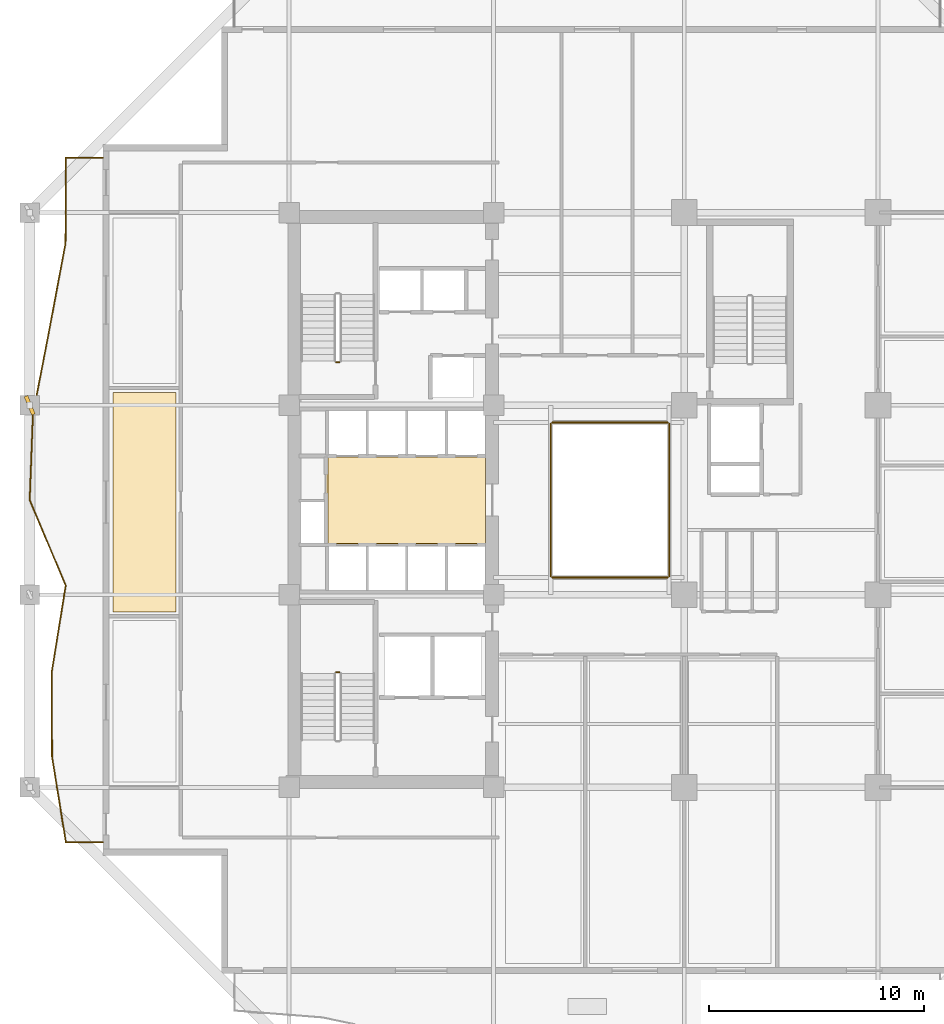
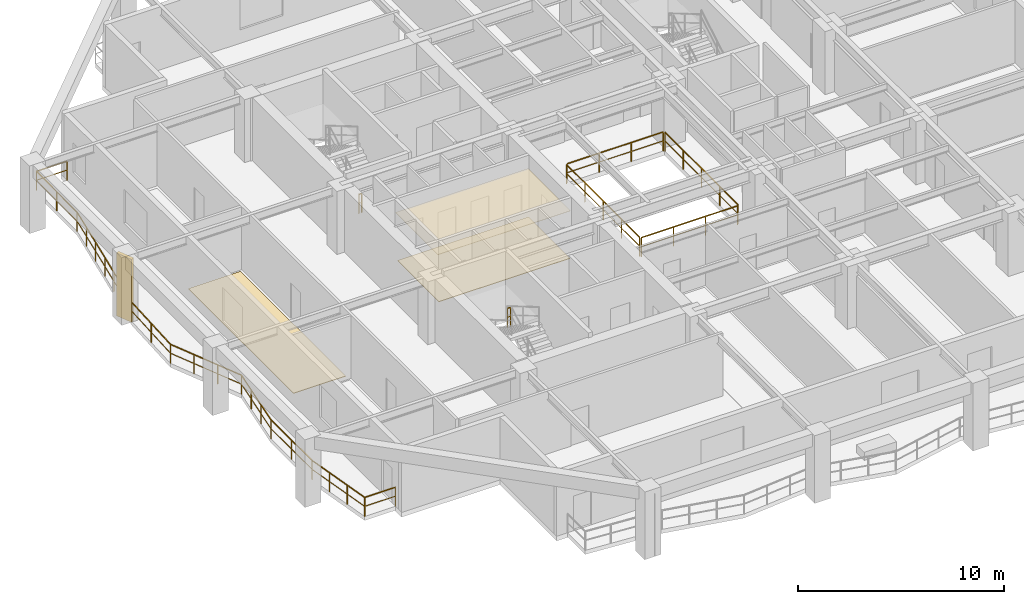
# One storey, part 9 of 13: 7 railings, 3 coverings, 1 shading device.
"""IFC4 building model written with IfcOpenShell, lengths in metres."""

from ifc_helpers import new_model, si_unit, direction, frame, origin, origin_2d, place, context, subcontext, project, spatial, polyline, rectangle, outline, extrude, material, layer, layer_set, type_object, element, save


model = new_model("IFC4")

# Units and contexts
model_context = context("Model", 3, precision=1e-05, world=origin(), true_north=direction((0.0, 1.0)))
body_context = subcontext(model_context, "Body", "Model", "MODEL_VIEW")
ifc_project = project(units=[si_unit("LENGTHUNIT", "METRE"), si_unit("AREAUNIT", "SQUARE_METRE"), si_unit("VOLUMEUNIT", "CUBIC_METRE"), si_unit("PLANEANGLEUNIT", "RADIAN"), si_unit("MASSUNIT", "GRAM", prefix="KILO")], contexts=[model_context])

# Site, building, storey
site_placement = place(None, origin())
site = spatial("IfcSite", under=ifc_project, at=site_placement, CompositionType="ELEMENT")
building_placement = place(site_placement, origin())
building = spatial("IfcBuilding", under=site, at=building_placement, Name="Kundavana Baori Tower", CompositionType="ELEMENT")
storey_placement = place(building_placement, frame((0.0, 0.0, 54.0)))
storey = spatial("IfcBuildingStorey", under=building, at=storey_placement, Name="L12", CompositionType="ELEMENT", Elevation=54.0)

# Coverings
ifc_material_1 = material(Name="Perforated Acoustic Mineral Fibre Ceiling Board")
ifc_layer_1 = layer(ifc_material_1, 0.02490234375, Name="COV-INT-CEIL")
ifc_layer_set_1 = layer_set([ifc_layer_1], Name="Perforated Acoustic Mineral Fibre Ceiling Board")
covering_type_1 = type_object("IfcCoveringType", Name="COV-INT-CEIL", PredefinedType="CEILING", material=ifc_layer_set_1)
covering_1_placement = place(storey_placement, frame((0.0, 0.0, 2.85009765625)))
element("IfcCovering", 1, at=covering_1_placement, inside=storey, type_object=covering_type_1, Name="L12 Core Lift Lobby Acoustic Ceiling", PredefinedType="CEILING", context=body_context, shape_type="SweptSolid", body=[
    extrude(outline(polyline([(17.159912109375, 26.52001953125), (24.580078125, 26.52001953125), (24.580078125, 30.639892578125), (17.159912109375, 30.639892578125), (17.159912109375, 26.52001953125)])), origin(), (0.0, 0.0, 1.0), 0.02490234375),
])
ifc_material_2 = material(Name="Honed Kota Stone and Terrazzo Flooring", Category="masonry")
ifc_layer_2 = layer(ifc_material_2, 0.030029296875, Name="COV-INT-FLR")
ifc_layer_set_2 = layer_set([ifc_layer_2], Name="Honed Kota Stone and Terrazzo Flooring")
covering_type_2 = type_object("IfcCoveringType", Name="COV-INT-FLR", PredefinedType="FLOORING", material=ifc_layer_set_2)
covering_2_placement = place(storey_placement, origin())
element("IfcCovering", 2, at=covering_2_placement, inside=storey, type_object=covering_type_2, Name="L12 Room Finished Stone Flooring 2", PredefinedType="FLOORING", context=body_context, shape_type="SweptSolid", body=[
    extrude(outline(polyline([(7.280029296875, 23.39990234375), (10.199951171875, 23.39990234375), (10.199951171875, 33.60009765625), (7.280029296875, 33.60009765625), (7.280029296875, 23.39990234375)])), origin(), (0.0, 0.0, 1.0), 0.030029296875),
])
covering_3_placement = place(storey_placement, origin())
element("IfcCovering", 3, at=covering_3_placement, inside=storey, type_object=covering_type_2, Name="L12 Core Lift Lobby Kota Stone Flooring", PredefinedType="FLOORING", context=body_context, shape_type="SweptSolid", body=[
    extrude(outline(polyline([(17.25, 26.580078125), (24.580078125, 26.580078125), (24.580078125, 30.60009765625), (17.25, 30.60009765625), (17.25, 26.580078125)])), origin(), (0.0, 0.0, 1.0), 0.030029296875),
])

# Railings
ifc_material_3 = material(Name="Architectural Patinated Bronze Metalwork")
railing_type_1 = type_object("IfcRailingType", Name="RL-BAL-1150", PredefinedType="BALUSTRADE", material=ifc_material_3)
railing_1_placement = place(storey_placement, frame((6.800048828125, 12.699951171875, 0.0)))
element("IfcRailing", 4, at=railing_1_placement, inside=storey, type_object=railing_type_1, Name="L12 Loggia Balcony Balustrade W", PredefinedType="BALUSTRADE", context=body_context, shape_type="SweptSolid", body=[
    extrude(rectangle(XDim=0.048095703125, YDim=0.048095703125, at=origin_2d()), frame((0.0, 0.0, 1.1259765625), z_axis=(-1.0, 0.0, 0.0), x_axis=(0.0, -1.0, 0.0)), (0.0, 0.0, 1.0), 1.719970703125),
    extrude(rectangle(XDim=0.03125, YDim=0.03125, at=origin_2d()), frame((0.0, 0.0, 0.597900390625), z_axis=(-1.0, 0.0, 0.0), x_axis=(0.0, -1.0, 0.0)), (0.0, 0.0, 1.0), 1.719970703125),
    extrude(rectangle(XDim=0.048095703125, YDim=0.048095703125, at=origin_2d()), frame((-1.719970703125, 0.0, 1.1259765625), z_axis=(-0.159697532614, 0.987165993173, 0.0), x_axis=(-0.987165993173, -0.159697532614, 0.0)), (0.0, 0.0, 1.0), 4.02685546875),
    extrude(rectangle(XDim=0.03125, YDim=0.03125, at=origin_2d()), frame((-1.719970703125, 0.0, 0.597900390625), z_axis=(-0.159697532614, 0.987165993173, 0.0), x_axis=(-0.987165993173, -0.159697532614, 0.0)), (0.0, 0.0, 1.0), 4.02685546875),
    extrude(rectangle(XDim=0.048095703125, YDim=0.048095703125, at=origin_2d()), frame((-2.363037109375, 3.97509765625, 1.1259765625), z_axis=(-0.002026898361, 0.999997945839, 0.0), x_axis=(-0.999997945839, -0.002026898361, 0.0)), (0.0, 0.0, 1.0), 3.974853515625),
    extrude(rectangle(XDim=0.03125, YDim=0.03125, at=origin_2d()), frame((-2.363037109375, 3.97509765625, 0.597900390625), z_axis=(-0.002026898361, 0.999997945839, 0.0), x_axis=(-0.999997945839, -0.002026898361, 0.0)), (0.0, 0.0, 1.0), 3.974853515625),
    extrude(rectangle(XDim=0.048095703125, YDim=0.048095703125, at=origin_2d()), frame((-2.37109375, 7.949951171875, 1.1259765625), z_axis=(0.159697532614, 0.987165993173, 0.0), x_axis=(-0.987165993173, 0.159697532614, 0.0)), (0.0, 0.0, 1.0), 4.02685546875),
    extrude(rectangle(XDim=0.03125, YDim=0.03125, at=origin_2d()), frame((-2.37109375, 7.949951171875, 0.597900390625), z_axis=(0.159697532614, 0.987165993173, 0.0), x_axis=(-0.987165993173, 0.159697532614, 0.0)), (0.0, 0.0, 1.0), 4.02685546875),
    extrude(rectangle(XDim=0.048095703125, YDim=0.048095703125, at=origin_2d()), frame((-1.72802734375, 11.925048828125, 1.1259765625), z_axis=(-0.38774061192, 0.921768527271, 0.0), x_axis=(-0.921768527271, -0.38774061192, 0.0)), (0.0, 0.0, 1.0), 4.3125),
    extrude(rectangle(XDim=0.03125, YDim=0.03125, at=origin_2d()), frame((-1.72802734375, 11.925048828125, 0.597900390625), z_axis=(-0.38774061192, 0.921768527271, 0.0), x_axis=(-0.921768527271, -0.38774061192, 0.0)), (0.0, 0.0, 1.0), 4.3125),
    extrude(rectangle(XDim=0.048095703125, YDim=0.048095703125, at=origin_2d()), frame((-3.400146484375, 15.900146484375, 1.1259765625), z_axis=(0.037747171719, 0.999287321558, 0.0), x_axis=(-0.999287321558, 0.037747171719, 0.0)), (0.0, 0.0, 1.0), 3.977783203125),
    extrude(rectangle(XDim=0.03125, YDim=0.03125, at=origin_2d()), frame((-3.400146484375, 15.900146484375, 0.597900390625), z_axis=(0.037747171719, 0.999287321558, 0.0), x_axis=(-0.999287321558, 0.037747171719, 0.0)), (0.0, 0.0, 1.0), 3.977783203125),
    extrude(rectangle(XDim=0.048095703125, YDim=0.048095703125, at=origin_2d()), frame((-3.25, 19.875, 1.1259765625), z_axis=(0.189710648269, 0.981840042947, 0.0), x_axis=(-0.981840042947, 0.189710648269, 0.0)), (0.0, 0.0, 1.0), 4.048583984375),
    extrude(rectangle(XDim=0.03125, YDim=0.03125, at=origin_2d()), frame((-3.25, 19.875, 0.597900390625), z_axis=(0.189710648269, 0.981840042947, 0.0), x_axis=(-0.981840042947, 0.189710648269, 0.0)), (0.0, 0.0, 1.0), 4.048583984375),
    extrude(rectangle(XDim=0.048095703125, YDim=0.048095703125, at=origin_2d()), frame((-2.48193359375, 23.85009765625, 1.1259765625), z_axis=(0.183956814278, 0.982934326637, 0.0), x_axis=(-0.982934326637, 0.183956814278, 0.0)), (0.0, 0.0, 1.0), 4.0439453125),
    extrude(rectangle(XDim=0.03125, YDim=0.03125, at=origin_2d()), frame((-2.48193359375, 23.85009765625, 0.597900390625), z_axis=(0.183956814278, 0.982934326637, 0.0), x_axis=(-0.982934326637, 0.183956814278, 0.0)), (0.0, 0.0, 1.0), 4.0439453125),
    extrude(rectangle(XDim=0.048095703125, YDim=0.048095703125, at=origin_2d()), frame((-1.738037109375, 27.824951171875, 1.1259765625), z_axis=(0.004544849265, 0.999989672119, 0.0), x_axis=(-0.999989672119, 0.004544849265, 0.0)), (0.0, 0.0, 1.0), 3.97509765625),
    extrude(rectangle(XDim=0.03125, YDim=0.03125, at=origin_2d()), frame((-1.738037109375, 27.824951171875, 0.597900390625), z_axis=(0.004544849265, 0.999989672119, 0.0), x_axis=(-0.999989672119, 0.004544849265, 0.0)), (0.0, 0.0, 1.0), 3.97509765625),
    extrude(rectangle(XDim=0.048095703125, YDim=0.048095703125, at=origin_2d()), frame((-1.719970703125, 31.800048828125, 1.1259765625), z_axis=(1.0, 0.0, 0.0), x_axis=(0.0, 1.0, 0.0)), (0.0, 0.0, 1.0), 1.719970703125),
    extrude(rectangle(XDim=0.03125, YDim=0.03125, at=origin_2d()), frame((-1.719970703125, 31.800048828125, 0.597900390625), z_axis=(1.0, 0.0, 0.0), x_axis=(0.0, 1.0, 0.0)), (0.0, 0.0, 1.0), 1.719970703125),
    extrude(rectangle(XDim=0.0419921875, YDim=0.0419921875, at=origin_2d()), origin(), (0.0, 0.0, 1.0), 1.101806640625),
    extrude(rectangle(XDim=0.0419921875, YDim=0.0419921875, at=origin_2d()), frame((-1.719970703125, 0.0, 0.0)), (0.0, 0.0, 1.0), 1.101806640625),
    extrude(rectangle(XDim=0.0419921875, YDim=0.0419921875, at=origin_2d()), frame((-1.934326171875, 1.324951171875, 0.0)), (0.0, 0.0, 1.0), 1.101806640625),
    extrude(rectangle(XDim=0.0419921875, YDim=0.0419921875, at=origin_2d()), frame((-2.148681640625, 2.650146484375, 0.0)), (0.0, 0.0, 1.0), 1.101806640625),
    extrude(rectangle(XDim=0.0419921875, YDim=0.0419921875, at=origin_2d()), frame((-2.363037109375, 3.97509765625, 0.0)), (0.0, 0.0, 1.0), 1.101806640625),
    extrude(rectangle(XDim=0.0419921875, YDim=0.0419921875, at=origin_2d()), frame((-2.3671875, 5.96240234375, 0.0)), (0.0, 0.0, 1.0), 1.101806640625),
    extrude(rectangle(XDim=0.0419921875, YDim=0.0419921875, at=origin_2d()), frame((-2.37109375, 7.949951171875, 0.0)), (0.0, 0.0, 1.0), 1.101806640625),
    extrude(rectangle(XDim=0.0419921875, YDim=0.0419921875, at=origin_2d()), frame((-2.15673828125, 9.27490234375, 0.0)), (0.0, 0.0, 1.0), 1.101806640625),
    extrude(rectangle(XDim=0.0419921875, YDim=0.0419921875, at=origin_2d()), frame((-1.9423828125, 10.60009765625, 0.0)), (0.0, 0.0, 1.0), 1.101806640625),
    extrude(rectangle(XDim=0.0419921875, YDim=0.0419921875, at=origin_2d()), frame((-1.72802734375, 11.925048828125, 0.0)), (0.0, 0.0, 1.0), 1.101806640625),
    extrude(rectangle(XDim=0.0419921875, YDim=0.0419921875, at=origin_2d()), frame((-2.285400390625, 13.25, 0.0)), (0.0, 0.0, 1.0), 1.101806640625),
    extrude(rectangle(XDim=0.0419921875, YDim=0.0419921875, at=origin_2d()), frame((-2.8427734375, 14.5751953125, 0.0)), (0.0, 0.0, 1.0), 1.101806640625),
    extrude(rectangle(XDim=0.0419921875, YDim=0.0419921875, at=origin_2d()), frame((-3.400146484375, 15.900146484375, 0.0)), (0.0, 0.0, 1.0), 1.101806640625),
    extrude(rectangle(XDim=0.0419921875, YDim=0.0419921875, at=origin_2d()), frame((-3.3251953125, 17.8876953125, 0.0)), (0.0, 0.0, 1.0), 1.101806640625),
    extrude(rectangle(XDim=0.0419921875, YDim=0.0419921875, at=origin_2d()), frame((-3.25, 19.875, 0.0)), (0.0, 0.0, 1.0), 1.101806640625),
    extrude(rectangle(XDim=0.0419921875, YDim=0.0419921875, at=origin_2d()), frame((-2.993896484375, 21.199951171875, 0.0)), (0.0, 0.0, 1.0), 1.101806640625),
    extrude(rectangle(XDim=0.0419921875, YDim=0.0419921875, at=origin_2d()), frame((-2.738037109375, 22.525146484375, 0.0)), (0.0, 0.0, 1.0), 1.101806640625),
    extrude(rectangle(XDim=0.0419921875, YDim=0.0419921875, at=origin_2d()), frame((-2.48193359375, 23.85009765625, 0.0)), (0.0, 0.0, 1.0), 1.101806640625),
    extrude(rectangle(XDim=0.0419921875, YDim=0.0419921875, at=origin_2d()), frame((-2.23388671875, 25.175048828125, 0.0)), (0.0, 0.0, 1.0), 1.101806640625),
    extrude(rectangle(XDim=0.0419921875, YDim=0.0419921875, at=origin_2d()), frame((-1.986083984375, 26.5, 0.0)), (0.0, 0.0, 1.0), 1.101806640625),
    extrude(rectangle(XDim=0.0419921875, YDim=0.0419921875, at=origin_2d()), frame((-1.738037109375, 27.824951171875, 0.0)), (0.0, 0.0, 1.0), 1.101806640625),
    extrude(rectangle(XDim=0.0419921875, YDim=0.0419921875, at=origin_2d()), frame((-1.72900390625, 29.8125, 0.0)), (0.0, 0.0, 1.0), 1.101806640625),
    extrude(rectangle(XDim=0.0419921875, YDim=0.0419921875, at=origin_2d()), frame((-1.719970703125, 31.800048828125, 0.0)), (0.0, 0.0, 1.0), 1.101806640625),
    extrude(rectangle(XDim=0.0419921875, YDim=0.0419921875, at=origin_2d()), frame((0.0, 31.800048828125, 0.0)), (0.0, 0.0, 1.0), 1.101806640625),
])
ifc_material_4 = material(Name="Architectural Patinated Bronze Metalwork")
railing_type_2 = type_object("IfcRailingType", Name="RL-GRD-1150", PredefinedType="GUARDRAIL", material=ifc_material_4)
for number, where, name in (
    (5, (17.7900390625, 20.60009765625, 2.0), "L12 ST1 stair guard 2"),
    (6, (17.7900390625, 35.0, 0.0), "L12 ST2 stair guard 4"),
):
    element("IfcRailing", number, at=place(storey_placement, frame(where)), inside=storey, type_object=railing_type_2, Name=name, PredefinedType="GUARDRAIL", context=body_context, shape_type="SweptSolid", body=[
        extrude(rectangle(XDim=0.048095703125, YDim=0.048095703125, at=origin_2d()), frame((0.0, 0.0, 1.1259765625), z_axis=(-1.0, 0.0, 0.0), x_axis=(0.0, -1.0, 0.0)), (0.0, 0.0, 1.0), 0.16015625),
        extrude(rectangle(XDim=0.03125, YDim=0.03125, at=origin_2d()), frame((0.0, 0.0, 0.597900390625), z_axis=(-1.0, 0.0, 0.0), x_axis=(0.0, -1.0, 0.0)), (0.0, 0.0, 1.0), 0.16015625),
        extrude(rectangle(XDim=0.0419921875, YDim=0.0419921875, at=origin_2d()), origin(), (0.0, 0.0, 1.0), 1.101806640625),
        extrude(rectangle(XDim=0.0419921875, YDim=0.0419921875, at=origin_2d()), frame((-0.16015625, 0.0, 0.0)), (0.0, 0.0, 1.0), 1.101806640625),
    ])
railing_2_placement = place(storey_placement, frame((27.659912109375, 25.0, 0.0)))
element("IfcRailing", 7, at=railing_2_placement, inside=storey, type_object=railing_type_2, Name="L12 Atrium Void Perimeter Guardrail S", PredefinedType="GUARDRAIL", context=body_context, shape_type="SweptSolid", body=[
    extrude(rectangle(XDim=0.048095703125, YDim=0.048095703125, at=origin_2d()), frame((0.0, 0.0, 1.1259765625), z_axis=(1.0, 0.0, 0.0), x_axis=(0.0, 1.0, 0.0)), (0.0, 0.0, 1.0), 5.380126953125),
    extrude(rectangle(XDim=0.03125, YDim=0.03125, at=origin_2d()), frame((0.0, 0.0, 0.597900390625), z_axis=(1.0, 0.0, 0.0), x_axis=(0.0, 1.0, 0.0)), (0.0, 0.0, 1.0), 5.380126953125),
    extrude(rectangle(XDim=0.0419921875, YDim=0.0419921875, at=origin_2d()), origin(), (0.0, 0.0, 1.0), 1.101806640625),
    extrude(rectangle(XDim=0.0419921875, YDim=0.0419921875, at=origin_2d()), frame((1.79345703125, 0.0, 0.0)), (0.0, 0.0, 1.0), 1.101806640625),
    extrude(rectangle(XDim=0.0419921875, YDim=0.0419921875, at=origin_2d()), frame((3.586669921875, 0.0, 0.0)), (0.0, 0.0, 1.0), 1.101806640625),
    extrude(rectangle(XDim=0.0419921875, YDim=0.0419921875, at=origin_2d()), frame((5.380126953125, 0.0, 0.0)), (0.0, 0.0, 1.0), 1.101806640625),
])
railing_3_placement = place(storey_placement, frame((33.10009765625, 25.06005859375, 0.0)))
element("IfcRailing", 8, at=railing_3_placement, inside=storey, type_object=railing_type_2, Name="L12 Atrium Void Perimeter Guardrail E", PredefinedType="GUARDRAIL", context=body_context, shape_type="SweptSolid", body=[
    extrude(rectangle(XDim=0.048095703125, YDim=0.048095703125, at=origin_2d()), frame((0.0, 0.0, 1.1259765625), z_axis=(0.0, 1.0, 0.0), x_axis=(-1.0, 0.0, 0.0)), (0.0, 0.0, 1.0), 7.079833984375),
    extrude(rectangle(XDim=0.03125, YDim=0.03125, at=origin_2d()), frame((0.0, 0.0, 0.597900390625), z_axis=(0.0, 1.0, 0.0), x_axis=(-1.0, 0.0, 0.0)), (0.0, 0.0, 1.0), 7.079833984375),
    extrude(rectangle(XDim=0.0419921875, YDim=0.0419921875, at=origin_2d()), origin(), (0.0, 0.0, 1.0), 1.101806640625),
    extrude(rectangle(XDim=0.0419921875, YDim=0.0419921875, at=origin_2d()), frame((0.0, 1.77001953125, 0.0)), (0.0, 0.0, 1.0), 1.101806640625),
    extrude(rectangle(XDim=0.0419921875, YDim=0.0419921875, at=origin_2d()), frame((0.0, 3.5400390625, 0.0)), (0.0, 0.0, 1.0), 1.101806640625),
    extrude(rectangle(XDim=0.0419921875, YDim=0.0419921875, at=origin_2d()), frame((0.0, 5.309814453125, 0.0)), (0.0, 0.0, 1.0), 1.101806640625),
    extrude(rectangle(XDim=0.0419921875, YDim=0.0419921875, at=origin_2d()), frame((0.0, 7.079833984375, 0.0)), (0.0, 0.0, 1.0), 1.101806640625),
])
railing_4_placement = place(storey_placement, frame((33.0400390625, 32.199951171875, 0.0)))
element("IfcRailing", 9, at=railing_4_placement, inside=storey, type_object=railing_type_2, Name="L12 Atrium Void Perimeter Guardrail N", PredefinedType="GUARDRAIL", context=body_context, shape_type="SweptSolid", body=[
    extrude(rectangle(XDim=0.048095703125, YDim=0.048095703125, at=origin_2d()), frame((0.0, 0.0, 1.1259765625), z_axis=(-1.0, 0.0, 0.0), x_axis=(0.0, -1.0, 0.0)), (0.0, 0.0, 1.0), 5.380126953125),
    extrude(rectangle(XDim=0.03125, YDim=0.03125, at=origin_2d()), frame((0.0, 0.0, 0.597900390625), z_axis=(-1.0, 0.0, 0.0), x_axis=(0.0, -1.0, 0.0)), (0.0, 0.0, 1.0), 5.380126953125),
    extrude(rectangle(XDim=0.0419921875, YDim=0.0419921875, at=origin_2d()), origin(), (0.0, 0.0, 1.0), 1.101806640625),
    extrude(rectangle(XDim=0.0419921875, YDim=0.0419921875, at=origin_2d()), frame((-1.79345703125, 0.0, 0.0)), (0.0, 0.0, 1.0), 1.101806640625),
    extrude(rectangle(XDim=0.0419921875, YDim=0.0419921875, at=origin_2d()), frame((-3.586669921875, 0.0, 0.0)), (0.0, 0.0, 1.0), 1.101806640625),
    extrude(rectangle(XDim=0.0419921875, YDim=0.0419921875, at=origin_2d()), frame((-5.380126953125, 0.0, 0.0)), (0.0, 0.0, 1.0), 1.101806640625),
])
railing_5_placement = place(storey_placement, frame((27.60009765625, 32.139892578125, 0.0)))
element("IfcRailing", 10, at=railing_5_placement, inside=storey, type_object=railing_type_2, Name="L12 Atrium Void Perimeter Guardrail W", PredefinedType="GUARDRAIL", context=body_context, shape_type="SweptSolid", body=[
    extrude(rectangle(XDim=0.048095703125, YDim=0.048095703125, at=origin_2d()), frame((0.0, 0.0, 1.1259765625), z_axis=(0.0, -1.0, 0.0), x_axis=(1.0, 0.0, 0.0)), (0.0, 0.0, 1.0), 7.079833984375),
    extrude(rectangle(XDim=0.03125, YDim=0.03125, at=origin_2d()), frame((0.0, 0.0, 0.597900390625), z_axis=(0.0, -1.0, 0.0), x_axis=(1.0, 0.0, 0.0)), (0.0, 0.0, 1.0), 7.079833984375),
    extrude(rectangle(XDim=0.0419921875, YDim=0.0419921875, at=origin_2d()), origin(), (0.0, 0.0, 1.0), 1.101806640625),
    extrude(rectangle(XDim=0.0419921875, YDim=0.0419921875, at=origin_2d()), frame((0.0, -1.77001953125, 0.0)), (0.0, 0.0, 1.0), 1.101806640625),
    extrude(rectangle(XDim=0.0419921875, YDim=0.0419921875, at=origin_2d()), frame((0.0, -3.5400390625, 0.0)), (0.0, 0.0, 1.0), 1.101806640625),
    extrude(rectangle(XDim=0.0419921875, YDim=0.0419921875, at=origin_2d()), frame((0.0, -5.309814453125, 0.0)), (0.0, 0.0, 1.0), 1.101806640625),
    extrude(rectangle(XDim=0.0419921875, YDim=0.0419921875, at=origin_2d()), frame((0.0, -7.079833984375, 0.0)), (0.0, 0.0, 1.0), 1.101806640625),
])

# Shading device
ifc_material_5 = material(Name="Red-Buff Dholpur Sandstone Cladding on Concrete C40/50", Category="masonry")
shading_device_type = type_object("IfcShadingDeviceType", Name="SHD-FIN-920", PredefinedType="JALOUSIE", material=ifc_material_5)
shading_device_placement = place(storey_placement, frame((3.39990234375, 33.0, 0.0), z_axis=(0.0, 0.0, 1.0), x_axis=(0.925804625051, 0.378002375964, 0.0)))
element("IfcShadingDevice", 11, at=shading_device_placement, inside=storey, type_object=shading_device_type, Name="L12 Sweeping Dholpur Sandstone Facade Fin 7", PredefinedType="JALOUSIE", context=body_context, shape_type="SweptSolid", body=[
    extrude(rectangle(XDim=0.179931640625, YDim=0.919921875, at=origin_2d()), origin(), (0.0, 0.0, 1.0), 3.719970703125),
])

save(model, "model.ifc")
